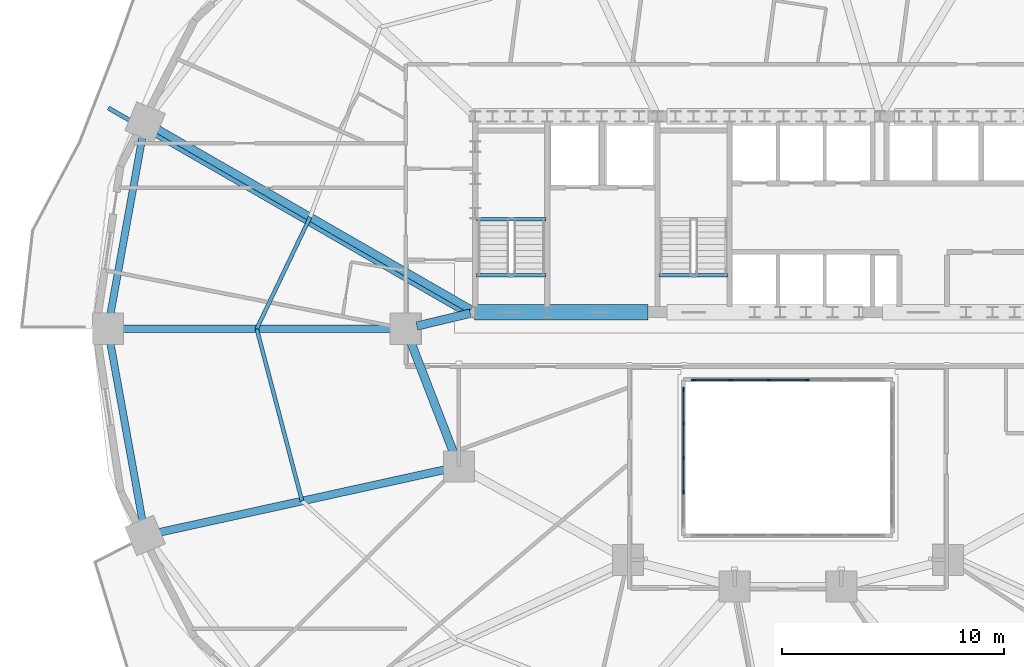
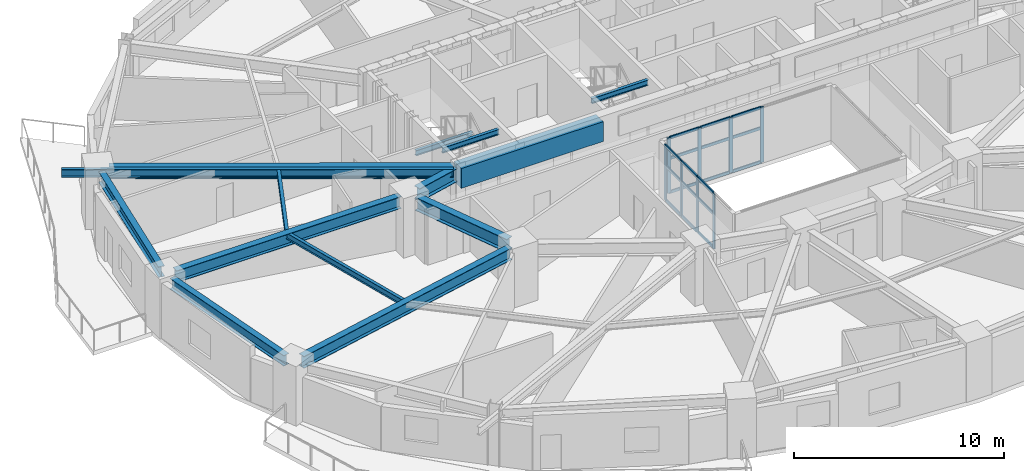
# One storey, part 4 of 17: 26 members, 14 beams, 2 elements without a shape of their own.
"""IFC4 building model written with IfcOpenShell, lengths in metres."""

from ifc_helpers import new_model, si_unit, direction, frame, origin, origin_2d, place, context, subcontext, project, spatial, rectangle, i_section, extrude, material, material_profile, profile_set, type_object, element, aggregate, save


model = new_model("IFC4")

# Units and contexts
model_context = context("Model", 3, precision=1e-05, world=origin(), true_north=direction((0.0, 1.0)))
body_context = subcontext(model_context, "Body", "Model", "MODEL_VIEW")
ifc_project = project(units=[si_unit("LENGTHUNIT", "METRE"), si_unit("AREAUNIT", "SQUARE_METRE"), si_unit("VOLUMEUNIT", "CUBIC_METRE"), si_unit("PLANEANGLEUNIT", "RADIAN"), si_unit("MASSUNIT", "GRAM", prefix="KILO")], contexts=[model_context])

# Site, building, storey
site_placement = place(None, origin())
site = spatial("IfcSite", under=ifc_project, at=site_placement, CompositionType="ELEMENT")
building_placement = place(site_placement, origin())
building = spatial("IfcBuilding", under=site, at=building_placement, Name="Haldorwick Loom Tower", CompositionType="ELEMENT")
storey_placement = place(building_placement, frame((0.0, 0.0, 55.050048828125)))
storey = spatial("IfcBuildingStorey", under=building, at=storey_placement, Name="L14", CompositionType="ELEMENT", Elevation=55.050048828125)

# Curtain wall, members
ifc_material_1 = material(Name="Thermally Broken Anodized Aluminium Curtain Wall Framing", Category="aluminium")
curtain_wall_type = type_object("IfcCurtainWallType", Name="ARC-CW-03", PredefinedType="NOTDEFINED", material=ifc_material_1)
curtain_wall_1_placement = place(storey_placement, origin())
curtain_wall_1 = element("IfcCurtainWall", 1, at=curtain_wall_1_placement, inside=storey, type_object=curtain_wall_type, Name="L14 Atrium Glazed Screen N", PredefinedType="NOTDEFINED")
ifc_material_profile_1 = material_profile(ifc_material_1, rectangle(XDim=0.06591796875, YDim=0.18505859375, at=origin_2d()), Name="ALU_MUL_66X185", Category="aluminium")
ifc_profile_set_1 = profile_set([ifc_material_profile_1], Name="Thermally Broken Anodized Aluminium Curtain Wall Framing")
member_type_1 = type_object("IfcMemberType", Name="ARC-CWM-03", PredefinedType="MULLION", material=ifc_profile_set_1)
member_1_placement = place(storey_placement, frame((31.73291015625, 23.699951171875, 0.0), z_axis=(0.0, 0.0, 1.0), x_axis=(0.0, 1.0, 0.0)))
member_1 = element("IfcMember", 2, at=member_1_placement, type_object=member_type_1, Name="CW-03 mullion 1", PredefinedType="MULLION", context=body_context, shape_type="SweptSolid", body=[
    extrude(rectangle(XDim=0.06591796875, YDim=0.18505859375, at=origin_2d()), origin(), (0.0, 0.0, 1.0), 3.2099609375),
])
member_2_placement = place(storey_placement, frame((33.419921875, 23.699951171875, 0.0), z_axis=(0.0, 0.0, 1.0), x_axis=(0.0, 1.0, 0.0)))
member_2 = element("IfcMember", 3, at=member_2_placement, type_object=member_type_1, Name="CW-03 mullion 2", PredefinedType="MULLION", context=body_context, shape_type="SweptSolid", body=[
    extrude(rectangle(XDim=0.06591796875, YDim=0.18505859375, at=origin_2d()), origin(), (0.0, 0.0, 1.0), 3.2099609375),
])
member_3_placement = place(storey_placement, frame((35.139892578125, 23.699951171875, 0.0), z_axis=(0.0, 0.0, 1.0), x_axis=(0.0, 1.0, 0.0)))
member_3 = element("IfcMember", 4, at=member_3_placement, type_object=member_type_1, Name="CW-03 mullion 3", PredefinedType="MULLION", context=body_context, shape_type="SweptSolid", body=[
    extrude(rectangle(XDim=0.06591796875, YDim=0.18505859375, at=origin_2d()), origin(), (0.0, 0.0, 1.0), 3.2099609375),
])
member_4_placement = place(storey_placement, frame((36.860107421875, 23.699951171875, 0.0), z_axis=(0.0, 0.0, 1.0), x_axis=(0.0, 1.0, 0.0)))
member_4 = element("IfcMember", 5, at=member_4_placement, type_object=member_type_1, Name="CW-03 mullion 4", PredefinedType="MULLION", context=body_context, shape_type="SweptSolid", body=[
    extrude(rectangle(XDim=0.06591796875, YDim=0.18505859375, at=origin_2d()), origin(), (0.0, 0.0, 1.0), 3.2099609375),
])

curtain_wall_2_placement = place(storey_placement, origin())
curtain_wall_2 = element("IfcCurtainWall", 6, at=curtain_wall_2_placement, inside=storey, type_object=curtain_wall_type, Name="L14 Atrium Glazed Screen W", PredefinedType="NOTDEFINED")
member_5_placement = place(storey_placement, frame((31.300048828125, 18.64990234375, 0.0), z_axis=(0.0, 0.0, 1.0), x_axis=(-1.0, 0.0, 0.0)))
member_5 = element("IfcMember", 7, at=member_5_placement, type_object=member_type_1, Name="CW-03 mullion 2", PredefinedType="MULLION", context=body_context, shape_type="SweptSolid", body=[
    extrude(rectangle(XDim=0.06591796875, YDim=0.18505859375, at=origin_2d()), origin(), (0.0, 0.0, 1.0), 3.2099609375),
])
member_6_placement = place(storey_placement, frame((31.300048828125, 20.199951171875, 0.0), z_axis=(0.0, 0.0, 1.0), x_axis=(-1.0, 0.0, 0.0)))
member_6 = element("IfcMember", 8, at=member_6_placement, type_object=member_type_1, Name="CW-03 mullion 3", PredefinedType="MULLION", context=body_context, shape_type="SweptSolid", body=[
    extrude(rectangle(XDim=0.06591796875, YDim=0.18505859375, at=origin_2d()), origin(), (0.0, 0.0, 1.0), 3.2099609375),
])
member_7_placement = place(storey_placement, frame((31.300048828125, 21.75, 0.0), z_axis=(0.0, 0.0, 1.0), x_axis=(-1.0, 0.0, 0.0)))
member_7 = element("IfcMember", 9, at=member_7_placement, type_object=member_type_1, Name="CW-03 mullion 4", PredefinedType="MULLION", context=body_context, shape_type="SweptSolid", body=[
    extrude(rectangle(XDim=0.06591796875, YDim=0.18505859375, at=origin_2d()), origin(), (0.0, 0.0, 1.0), 3.2099609375),
])
member_8_placement = place(storey_placement, frame((31.300048828125, 23.26708984375, 0.0), z_axis=(0.0, 0.0, 1.0), x_axis=(-1.0, 0.0, 0.0)))
member_8 = element("IfcMember", 10, at=member_8_placement, type_object=member_type_1, Name="CW-03 mullion 5", PredefinedType="MULLION", context=body_context, shape_type="SweptSolid", body=[
    extrude(rectangle(XDim=0.06591796875, YDim=0.18505859375, at=origin_2d()), origin(), (0.0, 0.0, 1.0), 3.2099609375),
])

# Member
ifc_material_profile_2 = material_profile(ifc_material_1, rectangle(XDim=0.06591796875, YDim=0.1650390625, at=origin_2d()), Name="ALU_TRN_66X165", Category="aluminium")
ifc_profile_set_2 = profile_set([ifc_material_profile_2], Name="Thermally Broken Anodized Aluminium Curtain Wall Framing")
member_type_2 = type_object("IfcMemberType", Name="ARC-CWT-03", PredefinedType="USERDEFINED", material=ifc_profile_set_2)
member_9_placement = place(storey_placement, frame((31.76611328125, 23.699951171875, 0.032958984375), z_axis=(1.0, 0.0, 0.0), x_axis=(0.0, 1.0, 0.0)))
member_9 = element("IfcMember", 11, at=member_9_placement, type_object=member_type_2, Name="CW-03 transom 1.1", ObjectType="TRANSOM", PredefinedType="USERDEFINED", context=body_context, shape_type="SweptSolid", body=[
    extrude(rectangle(XDim=0.06591796875, YDim=0.1650390625, at=origin_2d()), origin(), (0.0, 0.0, 1.0), 1.620849609375),
])

member_10_placement = place(storey_placement, frame((31.76611328125, 23.699951171875, 2.0), z_axis=(1.0, 0.0, 0.0), x_axis=(0.0, 1.0, 0.0)))
member_10 = element("IfcMember", 12, at=member_10_placement, type_object=member_type_2, Name="CW-03 transom 1.2", ObjectType="TRANSOM", PredefinedType="USERDEFINED", context=body_context, shape_type="SweptSolid", body=[
    extrude(rectangle(XDim=0.06591796875, YDim=0.1650390625, at=origin_2d()), origin(), (0.0, 0.0, 1.0), 1.620849609375),
])

member_11_placement = place(storey_placement, frame((31.76611328125, 23.699951171875, 3.177001953125), z_axis=(1.0, 0.0, 0.0), x_axis=(0.0, 1.0, 0.0)))
member_11 = element("IfcMember", 13, at=member_11_placement, type_object=member_type_2, Name="CW-03 transom 1.3", ObjectType="TRANSOM", PredefinedType="USERDEFINED", context=body_context, shape_type="SweptSolid", body=[
    extrude(rectangle(XDim=0.06591796875, YDim=0.1650390625, at=origin_2d()), origin(), (0.0, 0.0, 1.0), 1.620849609375),
])

member_12_placement = place(storey_placement, frame((33.452880859375, 23.699951171875, 0.032958984375), z_axis=(1.0, 0.0, 0.0), x_axis=(0.0, 1.0, 0.0)))
member_12 = element("IfcMember", 14, at=member_12_placement, type_object=member_type_2, Name="CW-03 transom 2.1", ObjectType="TRANSOM", PredefinedType="USERDEFINED", context=body_context, shape_type="SweptSolid", body=[
    extrude(rectangle(XDim=0.06591796875, YDim=0.1650390625, at=origin_2d()), origin(), (0.0, 0.0, 1.0), 1.654052734375),
])

member_13_placement = place(storey_placement, frame((33.452880859375, 23.699951171875, 2.0), z_axis=(1.0, 0.0, 0.0), x_axis=(0.0, 1.0, 0.0)))
member_13 = element("IfcMember", 15, at=member_13_placement, type_object=member_type_2, Name="CW-03 transom 2.2", ObjectType="TRANSOM", PredefinedType="USERDEFINED", context=body_context, shape_type="SweptSolid", body=[
    extrude(rectangle(XDim=0.06591796875, YDim=0.1650390625, at=origin_2d()), origin(), (0.0, 0.0, 1.0), 1.654052734375),
])

member_14_placement = place(storey_placement, frame((33.452880859375, 23.699951171875, 3.177001953125), z_axis=(1.0, 0.0, 0.0), x_axis=(0.0, 1.0, 0.0)))
member_14 = element("IfcMember", 16, at=member_14_placement, type_object=member_type_2, Name="CW-03 transom 2.3", ObjectType="TRANSOM", PredefinedType="USERDEFINED", context=body_context, shape_type="SweptSolid", body=[
    extrude(rectangle(XDim=0.06591796875, YDim=0.1650390625, at=origin_2d()), origin(), (0.0, 0.0, 1.0), 1.654052734375),
])

member_15_placement = place(storey_placement, frame((35.173095703125, 23.699951171875, 0.032958984375), z_axis=(1.0, 0.0, 0.0), x_axis=(0.0, 1.0, 0.0)))
member_15 = element("IfcMember", 17, at=member_15_placement, type_object=member_type_2, Name="CW-03 transom 3.1", ObjectType="TRANSOM", PredefinedType="USERDEFINED", context=body_context, shape_type="SweptSolid", body=[
    extrude(rectangle(XDim=0.06591796875, YDim=0.1650390625, at=origin_2d()), origin(), (0.0, 0.0, 1.0), 1.65380859375),
])

member_16_placement = place(storey_placement, frame((35.173095703125, 23.699951171875, 2.0), z_axis=(1.0, 0.0, 0.0), x_axis=(0.0, 1.0, 0.0)))
member_16 = element("IfcMember", 18, at=member_16_placement, type_object=member_type_2, Name="CW-03 transom 3.2", ObjectType="TRANSOM", PredefinedType="USERDEFINED", context=body_context, shape_type="SweptSolid", body=[
    extrude(rectangle(XDim=0.06591796875, YDim=0.1650390625, at=origin_2d()), origin(), (0.0, 0.0, 1.0), 1.65380859375),
])

member_17_placement = place(storey_placement, frame((35.173095703125, 23.699951171875, 3.177001953125), z_axis=(1.0, 0.0, 0.0), x_axis=(0.0, 1.0, 0.0)))
member_17 = element("IfcMember", 19, at=member_17_placement, type_object=member_type_2, Name="CW-03 transom 3.3", ObjectType="TRANSOM", PredefinedType="USERDEFINED", context=body_context, shape_type="SweptSolid", body=[
    extrude(rectangle(XDim=0.06591796875, YDim=0.1650390625, at=origin_2d()), origin(), (0.0, 0.0, 1.0), 1.65380859375),
])

aggregate(curtain_wall_1, [member_1, member_2, member_3, member_4, member_9, member_10, member_11, member_12, member_13, member_14, member_15, member_16, member_17])

member_18_placement = place(storey_placement, frame((31.300048828125, 18.68310546875, 0.032958984375), z_axis=(0.0, 1.0, 0.0), x_axis=(-1.0, 0.0, 0.0)))
member_18 = element("IfcMember", 20, at=member_18_placement, type_object=member_type_2, Name="CW-03 transom 2.1", ObjectType="TRANSOM", PredefinedType="USERDEFINED", context=body_context, shape_type="SweptSolid", body=[
    extrude(rectangle(XDim=0.06591796875, YDim=0.1650390625, at=origin_2d()), origin(), (0.0, 0.0, 1.0), 1.48388671875),
])

member_19_placement = place(storey_placement, frame((31.300048828125, 18.68310546875, 2.0), z_axis=(0.0, 1.0, 0.0), x_axis=(-1.0, 0.0, 0.0)))
member_19 = element("IfcMember", 21, at=member_19_placement, type_object=member_type_2, Name="CW-03 transom 2.2", ObjectType="TRANSOM", PredefinedType="USERDEFINED", context=body_context, shape_type="SweptSolid", body=[
    extrude(rectangle(XDim=0.06591796875, YDim=0.1650390625, at=origin_2d()), origin(), (0.0, 0.0, 1.0), 1.48388671875),
])

member_20_placement = place(storey_placement, frame((31.300048828125, 18.68310546875, 3.177001953125), z_axis=(0.0, 1.0, 0.0), x_axis=(-1.0, 0.0, 0.0)))
member_20 = element("IfcMember", 22, at=member_20_placement, type_object=member_type_2, Name="CW-03 transom 2.3", ObjectType="TRANSOM", PredefinedType="USERDEFINED", context=body_context, shape_type="SweptSolid", body=[
    extrude(rectangle(XDim=0.06591796875, YDim=0.1650390625, at=origin_2d()), origin(), (0.0, 0.0, 1.0), 1.48388671875),
])

member_21_placement = place(storey_placement, frame((31.300048828125, 20.23291015625, 0.032958984375), z_axis=(0.0, 1.0, 0.0), x_axis=(-1.0, 0.0, 0.0)))
member_21 = element("IfcMember", 23, at=member_21_placement, type_object=member_type_2, Name="CW-03 transom 3.1", ObjectType="TRANSOM", PredefinedType="USERDEFINED", context=body_context, shape_type="SweptSolid", body=[
    extrude(rectangle(XDim=0.06591796875, YDim=0.1650390625, at=origin_2d()), origin(), (0.0, 0.0, 1.0), 1.484130859375),
])

member_22_placement = place(storey_placement, frame((31.300048828125, 20.23291015625, 2.0), z_axis=(0.0, 1.0, 0.0), x_axis=(-1.0, 0.0, 0.0)))
member_22 = element("IfcMember", 24, at=member_22_placement, type_object=member_type_2, Name="CW-03 transom 3.2", ObjectType="TRANSOM", PredefinedType="USERDEFINED", context=body_context, shape_type="SweptSolid", body=[
    extrude(rectangle(XDim=0.06591796875, YDim=0.1650390625, at=origin_2d()), origin(), (0.0, 0.0, 1.0), 1.484130859375),
])

member_23_placement = place(storey_placement, frame((31.300048828125, 20.23291015625, 3.177001953125), z_axis=(0.0, 1.0, 0.0), x_axis=(-1.0, 0.0, 0.0)))
member_23 = element("IfcMember", 25, at=member_23_placement, type_object=member_type_2, Name="CW-03 transom 3.3", ObjectType="TRANSOM", PredefinedType="USERDEFINED", context=body_context, shape_type="SweptSolid", body=[
    extrude(rectangle(XDim=0.06591796875, YDim=0.1650390625, at=origin_2d()), origin(), (0.0, 0.0, 1.0), 1.484130859375),
])

member_24_placement = place(storey_placement, frame((31.300048828125, 21.782958984375, 0.032958984375), z_axis=(0.0, 1.0, 0.0), x_axis=(-1.0, 0.0, 0.0)))
member_24 = element("IfcMember", 26, at=member_24_placement, type_object=member_type_2, Name="CW-03 transom 4.1", ObjectType="TRANSOM", PredefinedType="USERDEFINED", context=body_context, shape_type="SweptSolid", body=[
    extrude(rectangle(XDim=0.06591796875, YDim=0.1650390625, at=origin_2d()), origin(), (0.0, 0.0, 1.0), 1.450927734375),
])

member_25_placement = place(storey_placement, frame((31.300048828125, 21.782958984375, 2.0), z_axis=(0.0, 1.0, 0.0), x_axis=(-1.0, 0.0, 0.0)))
member_25 = element("IfcMember", 27, at=member_25_placement, type_object=member_type_2, Name="CW-03 transom 4.2", ObjectType="TRANSOM", PredefinedType="USERDEFINED", context=body_context, shape_type="SweptSolid", body=[
    extrude(rectangle(XDim=0.06591796875, YDim=0.1650390625, at=origin_2d()), origin(), (0.0, 0.0, 1.0), 1.450927734375),
])

member_26_placement = place(storey_placement, frame((31.300048828125, 21.782958984375, 3.177001953125), z_axis=(0.0, 1.0, 0.0), x_axis=(-1.0, 0.0, 0.0)))
member_26 = element("IfcMember", 28, at=member_26_placement, type_object=member_type_2, Name="CW-03 transom 4.3", ObjectType="TRANSOM", PredefinedType="USERDEFINED", context=body_context, shape_type="SweptSolid", body=[
    extrude(rectangle(XDim=0.06591796875, YDim=0.1650390625, at=origin_2d()), origin(), (0.0, 0.0, 1.0), 1.450927734375),
])

aggregate(curtain_wall_2, [member_5, member_6, member_7, member_8, member_18, member_19, member_20, member_21, member_22, member_23, member_24, member_25, member_26])

# Beams
ifc_material_2 = material(Name="Steel CSA G40.21 350W", Category="steel")
ifc_material_profile_3 = material_profile(ifc_material_2, i_section(OverallWidth=0.193115234375, OverallDepth=0.466064453125, WebThickness=0.011474609375, FlangeThickness=0.01904296875, at=origin_2d()), Name="W460X97", Category="steel")
ifc_profile_set_3 = profile_set([ifc_material_profile_3], Name="Steel CSA G40.21 350W")
beam_type_1 = type_object("IfcBeamType", Name="STR-BM-BAL460", PredefinedType="BEAM", material=ifc_profile_set_3)
beam_1_placement = place(storey_placement, frame((21.59521484375, 26.61962890625, 2.97705078125), z_axis=(-0.866607024941, 0.49899124674, 0.0), x_axis=(-0.49899124674, -0.866607024941, 0.0)))
element("IfcBeam", 29, at=beam_1_placement, inside=storey, type_object=beam_type_1, Name="L14 Continuous Back-Spanned Balcony Beam 3", PredefinedType="BEAM", context=body_context, shape_type="SweptSolid", body=[
    extrude(i_section(OverallWidth=0.193115234375, OverallDepth=0.466064453125, WebThickness=0.011474609375, FlangeThickness=0.01904296875, at=origin_2d()), origin(), (0.0, 0.0, 1.0), 18.65771484375),
])
ifc_material_3 = material(Name="Concrete C60 (60 MPa)", Category="concrete")
ifc_material_profile_4 = material_profile(ifc_material_3, rectangle(XDim=0.699951171875, YDim=1.14990234375, at=origin_2d()), Name="RC700X1150", Category="concrete")
ifc_profile_set_4 = profile_set([ifc_material_profile_4], Name="Concrete C60 (60 MPa)")
beam_type_2 = type_object("IfcBeamType", Name="STR-BM-CB1150", PredefinedType="LINTEL", material=ifc_profile_set_4)
beam_2_placement = place(storey_placement, frame((21.89990234375, 26.75, 2.635009765625), z_axis=(1.0, 0.0, 0.0), x_axis=(0.0, 1.0, 0.0)))
element("IfcBeam", 30, at=beam_2_placement, inside=storey, type_object=beam_type_2, Name="L14 Core Coupling Beam CB-S1", PredefinedType="LINTEL", context=body_context, shape_type="SweptSolid", body=[
    extrude(rectangle(XDim=0.699951171875, YDim=1.14990234375, at=origin_2d()), origin(), (0.0, 0.0, 1.0), 7.800048828125),
])
ifc_material_profile_5 = material_profile(ifc_material_2, i_section(OverallWidth=0.172119140625, OverallDepth=0.35791015625, WebThickness=0.0078125, FlangeThickness=0.01318359375, at=origin_2d()), Name="W360X57", Category="steel")
ifc_profile_set_5 = profile_set([ifc_material_profile_5], Name="Steel CSA G40.21 350W")
beam_type_3 = type_object("IfcBeamType", Name="STR-BM-J360", PredefinedType="JOIST", material=ifc_profile_set_5)
beam_3_placement = place(storey_placement, frame((14.50634765625, 31.024658203125, 3.031005859375), z_axis=(-0.431630738849, -0.902050389546, 0.0), x_axis=(0.902050389546, -0.431630738849, 0.0)))
element("IfcBeam", 31, at=beam_3_placement, inside=storey, type_object=beam_type_3, Name="L14 Mid-Bay Secondary Joist 8", PredefinedType="JOIST", context=body_context, shape_type="SweptSolid", body=[
    extrude(i_section(OverallWidth=0.172119140625, OverallDepth=0.35791015625, WebThickness=0.0078125, FlangeThickness=0.01318359375, at=origin_2d()), origin(), (0.0, 0.0, 1.0), 5.5703125),
])
beam_4_placement = place(storey_placement, frame((12.10205078125, 26.0, 3.031005859375), z_axis=(0.2544888003, -0.967075721193, 0.0), x_axis=(0.967075721193, 0.2544888003, 0.0)))
element("IfcBeam", 32, at=beam_4_placement, inside=storey, type_object=beam_type_3, Name="L14 Mid-Bay Secondary Joist 9", PredefinedType="JOIST", context=body_context, shape_type="SweptSolid", body=[
    extrude(i_section(OverallWidth=0.172119140625, OverallDepth=0.35791015625, WebThickness=0.0078125, FlangeThickness=0.01318359375, at=origin_2d()), origin(), (0.0, 0.0, 1.0), 8.013427734375),
])
ifc_material_profile_6 = material_profile(ifc_material_2, i_section(OverallWidth=0.324951171875, OverallDepth=0.615966796875, WebThickness=0.013916015625, FlangeThickness=0.021484375, at=origin_2d()), Name="W610X174", Category="steel")
ifc_profile_set_6 = profile_set([ifc_material_profile_6], Name="Steel CSA G40.21 350W")
beam_type_4 = type_object("IfcBeamType", Name="STR-BM-SP610", PredefinedType="SPANDREL", material=ifc_profile_set_6)
for number, where, z_axis, x_axis, name in (
    (33, (6.990234375, 34.78759765625, 2.90185546875), (-0.177641139482, -0.984095333575, 0.0), (0.984095333575, -0.177641139482, 0.0), "L14 Perimeter Spandrel 8"),
    (34, (5.496337890625, 25.48828125, 2.90185546875), (0.177641139482, -0.984095333575, 0.0), (0.984095333575, 0.177641139482, 0.0), "L14 Perimeter Spandrel 9"),
):
    element("IfcBeam", number, at=place(storey_placement, frame(where, z_axis=z_axis, x_axis=x_axis)), inside=storey, type_object=beam_type_4, Name=name, PredefinedType="SPANDREL", context=body_context, shape_type="SweptSolid", body=[
        extrude(i_section(OverallWidth=0.324951171875, OverallDepth=0.615966796875, WebThickness=0.013916015625, FlangeThickness=0.021484375, at=origin_2d()), origin(), (0.0, 0.0, 1.0), 8.40966796875),
    ])
ifc_material_profile_7 = material_profile(ifc_material_2, i_section(OverallWidth=0.166015625, OverallDepth=0.31298828125, WebThickness=0.006591796875, FlangeThickness=0.01123046875, at=origin_2d()), Name="W310X45", Category="steel")
ifc_profile_set_7 = profile_set([ifc_material_profile_7], Name="Steel CSA G40.21 350W")
beam_type_5 = type_object("IfcBeamType", Name="STR-BM-STRM", PredefinedType="BEAM", material=ifc_profile_set_7)
for number, where, z_axis, x_axis, name in (
    (35, (21.989990234375, 28.39990234375, 3.053466796875), (1.0, 0.0, 0.0), (0.0, 1.0, 0.0), "L14 Stair ST-01 Landing Edge Trimmer"),
    (36, (21.989990234375, 30.919921875, 1.368408203125), (1.0, 0.0, 0.0), (0.0, 1.0, 0.0), "L14 Stair ST-01 Half-Landing Trimmer 1"),
    (37, (30.18994140625, 28.39990234375, 3.053466796875), (1.0, 0.0, 0.0), (0.0, 1.0, 0.0), "L14 Stair ST-03 Landing Edge Trimmer"),
):
    element("IfcBeam", number, at=place(storey_placement, frame(where, z_axis=z_axis, x_axis=x_axis)), inside=storey, type_object=beam_type_5, Name=name, PredefinedType="BEAM", context=body_context, shape_type="SweptSolid", body=[
        extrude(i_section(OverallWidth=0.166015625, OverallDepth=0.31298828125, WebThickness=0.006591796875, FlangeThickness=0.01123046875, at=origin_2d()), origin(), (0.0, 0.0, 1.0), 3.1201171875),
    ])
ifc_material_profile_8 = material_profile(ifc_material_2, i_section(OverallWidth=0.35498046875, OverallDepth=0.695068359375, WebThickness=0.015380859375, FlangeThickness=0.02490234375, at=origin_2d()), Name="W690X217", Category="steel")
ifc_profile_set_8 = profile_set([ifc_material_profile_8], Name="Steel CSA G40.21 350W")
beam_type_6 = type_object("IfcBeamType", Name="STR-BM-W690", PredefinedType="BEAM", material=ifc_profile_set_8)
beam_5_placement = place(storey_placement, frame((21.735107421875, 26.8623046875, 2.862548828125), z_axis=(-0.86660566838, 0.498993602696, 0.0), x_axis=(-0.498993602696, -0.86660566838, 0.0)))
element("IfcBeam", 38, at=beam_5_placement, inside=storey, type_object=beam_type_6, Name="L14 Radial Floor Girder 8", PredefinedType="BEAM", context=body_context, shape_type="SweptSolid", body=[
    extrude(i_section(OverallWidth=0.35498046875, OverallDepth=0.695068359375, WebThickness=0.015380859375, FlangeThickness=0.02490234375, at=origin_2d()), origin(), (0.0, 0.0, 1.0), 16.387939453125),
])
beam_6_placement = place(storey_placement, frame((18.280029296875, 26.0, 2.862548828125), z_axis=(-1.0, 0.0, 0.0), x_axis=(0.0, -1.0, 0.0)))
element("IfcBeam", 39, at=beam_6_placement, inside=storey, type_object=beam_type_6, Name="L14 Radial Floor Girder 9", PredefinedType="BEAM", context=body_context, shape_type="SweptSolid", body=[
    extrude(i_section(OverallWidth=0.35498046875, OverallDepth=0.695068359375, WebThickness=0.015380859375, FlangeThickness=0.02490234375, at=origin_2d()), origin(), (0.0, 0.0, 1.0), 12.35595703125),
])
beam_7_placement = place(storey_placement, frame((20.692138671875, 19.6884765625, 2.862548828125), z_axis=(-0.976740159434, -0.214426353203, 0.0), x_axis=(0.214426353203, -0.976740159434, 0.0)))
element("IfcBeam", 40, at=beam_7_placement, inside=storey, type_object=beam_type_6, Name="L14 Radial Floor Girder 10", PredefinedType="BEAM", context=body_context, shape_type="SweptSolid", body=[
    extrude(i_section(OverallWidth=0.35498046875, OverallDepth=0.695068359375, WebThickness=0.015380859375, FlangeThickness=0.02490234375, at=origin_2d()), origin(), (0.0, 0.0, 1.0), 13.41357421875),
])
ifc_material_profile_9 = material_profile(ifc_material_2, i_section(OverallWidth=0.381103515625, OverallDepth=0.77294921875, WebThickness=0.0166015625, FlangeThickness=0.027587890625, at=origin_2d()), Name="W760X257", Category="steel")
ifc_profile_set_9 = profile_set([ifc_material_profile_9], Name="Steel CSA G40.21 350W")
beam_type_7 = type_object("IfcBeamType", Name="STR-BM-W760", PredefinedType="BEAM", material=ifc_profile_set_9)
beam_8_placement = place(storey_placement, frame((21.01220703125, 20.284912109375, 2.823486328125), z_axis=(-0.360964792353, 0.93257944363, 0.0), x_axis=(-0.93257944363, -0.360964792353, 0.0)))
element("IfcBeam", 41, at=beam_8_placement, inside=storey, type_object=beam_type_7, Name="L14 Inner Ring Girder 8", PredefinedType="BEAM", context=body_context, shape_type="SweptSolid", body=[
    extrude(i_section(OverallWidth=0.381103515625, OverallDepth=0.77294921875, WebThickness=0.0166015625, FlangeThickness=0.027587890625, at=origin_2d()), origin(), (0.0, 0.0, 1.0), 5.6083984375),
])
beam_9_placement = place(storey_placement, frame((19.3056640625, 26.12109375, 2.823486328125), z_axis=(0.97247055837, 0.233025777764, 0.0), x_axis=(-0.233025777764, 0.97247055837, 0.0)))
element("IfcBeam", 42, at=beam_9_placement, inside=storey, type_object=beam_type_7, Name="L14 Inner Ring Girder 9", PredefinedType="BEAM", context=body_context, shape_type="SweptSolid", body=[
    extrude(i_section(OverallWidth=0.381103515625, OverallDepth=0.77294921875, WebThickness=0.0166015625, FlangeThickness=0.027587890625, at=origin_2d()), origin(), (0.0, 0.0, 1.0), 2.4736328125),
])

save(model, "model.ifc")
